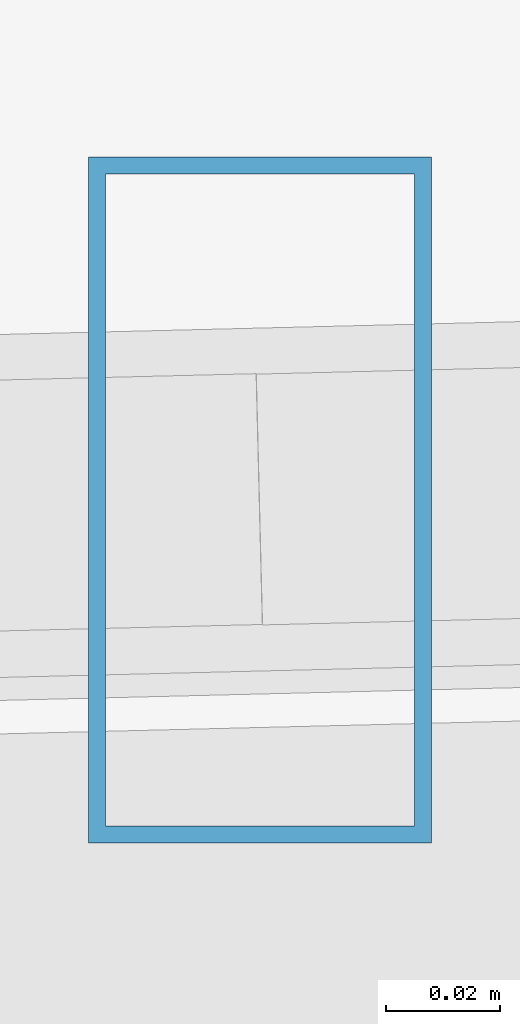
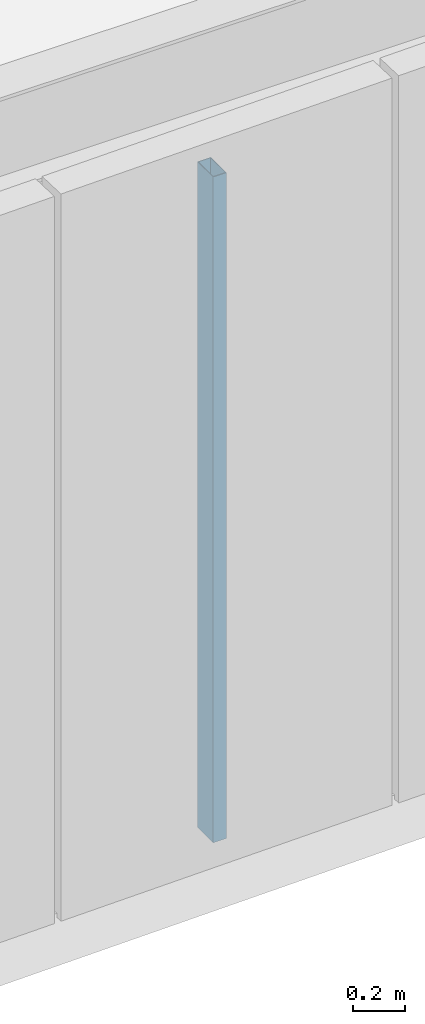
# One storey, part 21 of 44: 1 member, 1 element without a shape of its own.
"""IFC4 building model written with IfcOpenShell, lengths in metres."""

from ifc_helpers import new_model, si_unit, direction, frame, origin, origin_2d, place, context, subcontext, project, spatial, hollow_rectangle, extrude, source, transform, mapped, material, material_profile, profile_set, type_object, type_shapes, element, aggregate, save


model = new_model("IFC4")

# Units and contexts
model_context = context("Model", 3, precision=1e-05, world=origin(), true_north=direction((0.0, 1.0)))
body_context = subcontext(model_context, "Body", "Model", "MODEL_VIEW")
ifc_project = project(units=[si_unit("LENGTHUNIT", "METRE"), si_unit("AREAUNIT", "SQUARE_METRE"), si_unit("VOLUMEUNIT", "CUBIC_METRE"), si_unit("PLANEANGLEUNIT", "RADIAN"), si_unit("MASSUNIT", "GRAM", prefix="KILO")], contexts=[model_context])

# Site, building, storey
site_placement = place(None, origin())
site = spatial("IfcSite", under=ifc_project, at=site_placement, CompositionType="ELEMENT")
building_placement = place(site_placement, origin())
building = spatial("IfcBuilding", under=site, at=building_placement, Name="Caelisora Broadcast Tower", CompositionType="ELEMENT")
storey_placement = place(building_placement, frame((0.0, 0.0, 296.60009765625)))
storey = spatial("IfcBuildingStorey", under=building, at=storey_placement, Name="L78", CompositionType="ELEMENT", Elevation=296.60009765625)

# Curtain wall, member
ifc_material_1 = material(Name="Unitised Aluminium Insulated Shadow-Box Spandrel Curtain Wall", Category="aluminium")
curtain_wall_type = type_object("IfcCurtainWallType", Name="CW-SP3", PredefinedType="NOTDEFINED", material=ifc_material_1)
curtain_wall_placement = place(storey_placement, origin())
curtain_wall = element("IfcCurtainWall", 1, at=curtain_wall_placement, inside=storey, type_object=curtain_wall_type, Name="L78 curtain wall CW-SP3", PredefinedType="NOTDEFINED")
ifc_material_2 = material(Name="Aluminium 6063-T6 Anodised Terracotta Bronze", Category="aluminium")
ifc_material_profile = material_profile(ifc_material_2, hollow_rectangle(XDim=0.06005859375, YDim=0.1201171875, WallThickness=0.0029296875, at=origin_2d()), Name="Aluminium 6063-T6 Anodised Terracotta Bronze")
ifc_profile_set = profile_set([ifc_material_profile], Name="Aluminium 6063-T6 Anodised Terracotta Bronze")
member_type = type_object("IfcMemberType", Name="CWM-04", PredefinedType="MULLION", material=ifc_profile_set)
shared_shape = source(origin(), body_context, "Body", "SweptSolid", [
    extrude(hollow_rectangle(XDim=0.06005859375, YDim=0.1201171875, WallThickness=0.0029296875, at=origin_2d()), origin(), (0.0, 0.0, 1.0), 3.14990234375),
])
type_shapes(member_type, [shared_shape])
member_placement = place(storey_placement, frame((49.83349609375, 9.28564453125, 0.0), z_axis=(0.0, 0.0, 1.0), x_axis=(1.0, 0.0, 0.0)))
member = element("IfcMember", 2, at=member_placement, type_object=member_type, Name="L78-CW-B05 mullion #2", PredefinedType="MULLION", context=body_context, shape_type="MappedRepresentation", body=[
    mapped(shared_shape, transform((0.0, 0.0, 0.0), scale=1.0)),
])
aggregate(curtain_wall, [member])

save(model, "model.ifc")
